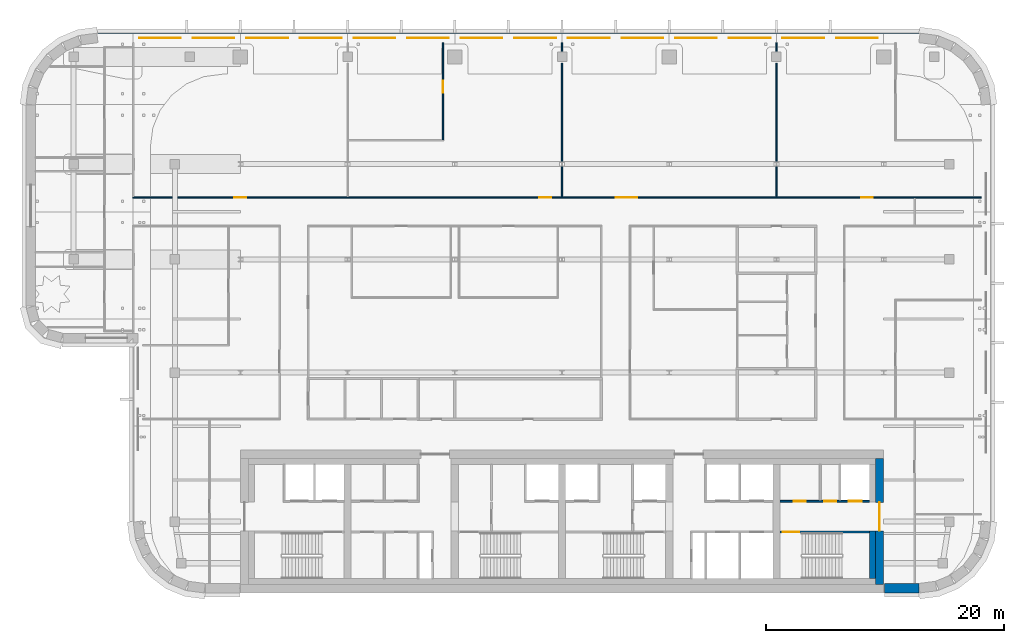
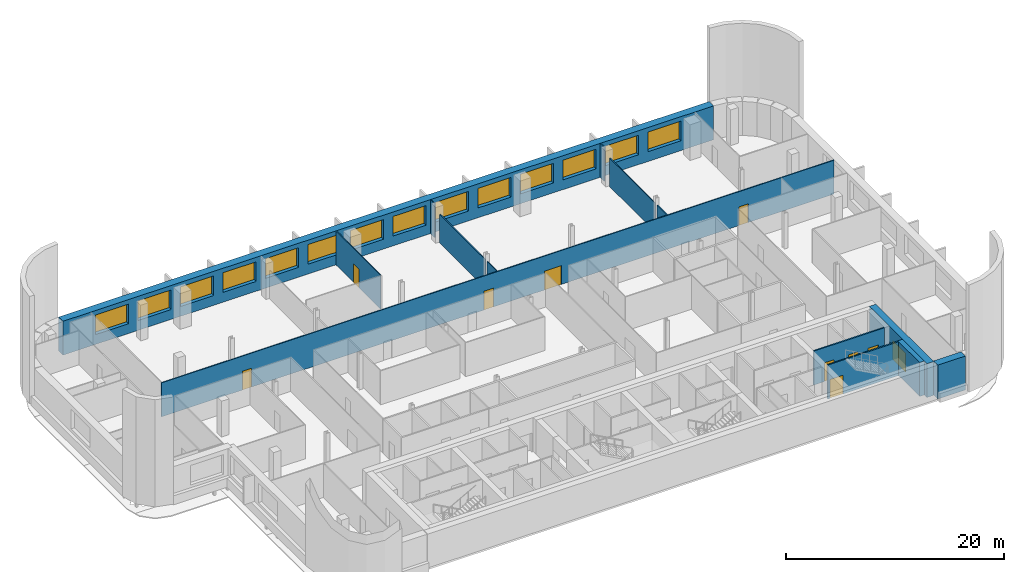
# One storey, part 10 of 19: 14 walls, 14 windows, 10 doors, 24 openings.
"""IFC4 building model written with IfcOpenShell, lengths in metres."""

from ifc_helpers import new_model, si_unit, direction, frame, frame_2d, origin, place, context, subcontext, project, spatial, rectangle, extrude, material, layer, layer_set, type_object, element, fill, save


model = new_model("IFC4")

# Units and contexts
model_context = context("Model", 3, precision=1e-05, world=origin(), true_north=direction((0.0, 1.0)))
body_context = subcontext(model_context, "Body", "Model", "MODEL_VIEW")
ifc_project = project(units=[si_unit("LENGTHUNIT", "METRE"), si_unit("AREAUNIT", "SQUARE_METRE"), si_unit("VOLUMEUNIT", "CUBIC_METRE"), si_unit("PLANEANGLEUNIT", "RADIAN"), si_unit("MASSUNIT", "GRAM", prefix="KILO")], contexts=[model_context])

# Site, building, storey
site_placement = place(None, origin())
site = spatial("IfcSite", under=ifc_project, at=site_placement, CompositionType="ELEMENT")
building_placement = place(site_placement, origin())
building = spatial("IfcBuilding", under=site, at=building_placement, Name="Zellij Exchange Tower", CompositionType="ELEMENT")
storey_placement = place(building_placement, frame((0.0, 0.0, 220.5)))
storey = spatial("IfcBuildingStorey", under=building, at=storey_placement, Name="L51", CompositionType="ELEMENT", Elevation=220.5)

# Wall
ifc_material_1 = material(Name="Concrete C30/37", Category="concrete")
ifc_layer_1 = layer(ifc_material_1, 0.5)
ifc_layer_set_1 = layer_set([ifc_layer_1], Name="Concrete C30/37")
wall_type_1 = type_object("IfcWallType", Name="CORE-LW 500 C30/37", PredefinedType="SHEAR", material=ifc_layer_set_1)
wall_1_placement = place(storey_placement, frame((26.050048828125, -12.800048828125, 0.0), z_axis=(0.0, 0.0, 1.0), x_axis=(0.0, 1.0, 0.0)))
element("IfcWall", 1, at=wall_1_placement, inside=storey, type_object=wall_type_1, Name="Core wall lining end e.0 L51", PredefinedType="SHEAR", context=body_context, shape_type="SweptSolid", body=[
    extrude(rectangle(XDim=4.0, YDim=0.5, at=frame_2d((2.0, 0.0))), origin(), (0.0, 0.0, 1.0), 3.800048828125),
])

# Wall, openings, doors
ifc_material_2 = material(Name="Gypsum shaft wall system")
ifc_layer_2 = layer(ifc_material_2, 0.14990234375)
ifc_layer_set_2 = layer_set([ifc_layer_2], Name="Gypsum shaft wall system")
wall_type_2 = type_object("IfcWallType", Name="CORE-PW 150 Lift shaft wall", PredefinedType="PARTITIONING", material=ifc_layer_set_2)
wall_2_placement = place(storey_placement, frame((18.300048828125, -6.300048828125, 0.0), z_axis=(0.0, 0.0, 1.0), x_axis=(1.0, 0.0, 0.0)))
wall_2 = element("IfcWall", 2, at=wall_2_placement, inside=storey, type_object=wall_type_2, Name="Lift shaft wall L51", PredefinedType="PARTITIONING", context=body_context, shape_type="SweptSolid", body=[
    extrude(rectangle(XDim=7.5, YDim=0.14990234375, at=frame_2d((3.75, 0.0))), origin(), (0.0, 0.0, 1.0), 3.800048828125),
])
opening_1_placement = place(wall_2_placement, frame((1.14990234375, 0.0, 0.0)))
opening_1 = element("IfcOpeningElement", 3, at=opening_1_placement, cuts=wall_2, Name="Opening CA-28.25", PredefinedType="OPENING", context=body_context, shape_type="SweptSolid", body=[
    extrude(rectangle(XDim=1.0, YDim=2.10009765625, at=frame_2d((0.5, 1.050048828125))), frame((0.0, 0.0869140625, 0.0), z_axis=(0.0, -1.0, 0.0), x_axis=(1.0, 0.0, 0.0)), (0.0, 0.0, 1.0), 0.173828125),
])
opening_2_placement = place(wall_2_placement, frame((3.699951171875, 0.0, 0.0)))
opening_2 = element("IfcOpeningElement", 4, at=opening_2_placement, cuts=wall_2, Name="Opening CA-28.26", PredefinedType="OPENING", context=body_context, shape_type="SweptSolid", body=[
    extrude(rectangle(XDim=1.0, YDim=2.10009765625, at=frame_2d((0.5, 1.050048828125))), frame((0.0, 0.0869140625, 0.0), z_axis=(0.0, -1.0, 0.0), x_axis=(1.0, 0.0, 0.0)), (0.0, 0.0, 1.0), 0.173828125),
])
opening_3_placement = place(wall_2_placement, frame((5.75, 0.0, 0.0)))
opening_3 = element("IfcOpeningElement", 5, at=opening_3_placement, cuts=wall_2, Name="Opening CA-28.27", PredefinedType="OPENING", context=body_context, shape_type="SweptSolid", body=[
    extrude(rectangle(XDim=1.10009765625, YDim=2.10009765625, at=frame_2d((0.550048828125, 1.050048828125))), frame((0.0, 0.0869140625, 0.0), z_axis=(0.0, -1.0, 0.0), x_axis=(1.0, 0.0, 0.0)), (0.0, 0.0, 1.0), 0.173828125),
])
ifc_material_3 = material(Name="Hollow metal fire door")
door_type_1 = type_object("IfcDoorType", Name="CORE-D CD Core room door 1000x2100 1 HR", OperationType="NOTDEFINED", PredefinedType="DOOR", material=ifc_material_3)
door_1_placement = place(opening_1_placement, origin())
door_1 = element("IfcDoor", 6, at=door_1_placement, inside=storey, type_object=door_type_1, Name="Core room door CA-28.25", OperationType="SINGLE_SWING_LEFT", OverallHeight=2.10009765625, OverallWidth=1.0, PredefinedType="DOOR", context=body_context, shape_type="SweptSolid", body=[
    extrude(rectangle(XDim=1.0, YDim=2.10009765625, at=frame_2d((0.5, 1.050048828125))), frame((0.0, 0.02490234375, 0.0), z_axis=(0.0, -1.0, 0.0), x_axis=(1.0, 0.0, 0.0)), (0.0, 0.0, 1.0), 0.050048828125),
])
fill(opening_1, door_1)
door_2_placement = place(opening_2_placement, origin())
door_2 = element("IfcDoor", 7, at=door_2_placement, inside=storey, type_object=door_type_1, Name="Core room door CA-28.26", OperationType="SINGLE_SWING_RIGHT", OverallHeight=2.10009765625, OverallWidth=1.0, PredefinedType="DOOR", context=body_context, shape_type="SweptSolid", body=[
    extrude(rectangle(XDim=1.0, YDim=2.10009765625, at=frame_2d((0.5, 1.050048828125))), frame((0.0, 0.02490234375, 0.0), z_axis=(0.0, -1.0, 0.0), x_axis=(1.0, 0.0, 0.0)), (0.0, 0.0, 1.0), 0.050048828125),
])
fill(opening_2, door_2)
door_type_2 = type_object("IfcDoorType", Name="CORE-D LD Lift landing door 1100x2100 1.5 HR", OperationType="NOTDEFINED", PredefinedType="DOOR", material=ifc_material_3)
door_3_placement = place(opening_3_placement, origin())
door_3 = element("IfcDoor", 8, at=door_3_placement, inside=storey, type_object=door_type_2, Name="Lift landing door CA-28.27", OperationType="SLIDING_TO_LEFT", OverallHeight=2.10009765625, OverallWidth=1.10009765625, PredefinedType="DOOR", context=body_context, shape_type="SweptSolid", body=[
    extrude(rectangle(XDim=1.10009765625, YDim=2.10009765625, at=frame_2d((0.550048828125, 1.050048828125))), frame((0.0, 0.02490234375, 0.0), z_axis=(0.0, -1.0, 0.0), x_axis=(1.0, 0.0, 0.0)), (0.0, 0.0, 1.0), 0.050048828125),
])
fill(opening_3, door_3)

# Wall, opening, door
ifc_material_4 = material(Name="Concrete C50/60", Category="concrete")
ifc_layer_3 = layer(ifc_material_4, 0.699951171875)
ifc_layer_set_3 = layer_set([ifc_layer_3], Name="Concrete C50/60")
wall_type_3 = type_object("IfcWallType", Name="CORE-SW 700 C50/60", PredefinedType="SHEAR", material=ifc_layer_set_3)
wall_3_placement = place(storey_placement, frame((26.64990234375, -13.300048828125, 0.0), z_axis=(0.0, 0.0, 1.0), x_axis=(0.0, 1.0, 0.0)))
wall_3 = element("IfcWall", 9, at=wall_3_placement, inside=storey, type_object=wall_type_3, Name="Core shear wall end e L51", PredefinedType="SHEAR", context=body_context, shape_type="SweptSolid", body=[
    extrude(rectangle(XDim=10.60009765625, YDim=0.699951171875, at=frame_2d((5.300048828125, 0.0))), origin(), (0.0, 0.0, 1.0), 3.800048828125),
])
opening_4_placement = place(wall_3_placement, frame((4.511962890625, 0.0, 0.0)))
opening_4 = element("IfcOpeningElement", 10, at=opening_4_placement, cuts=wall_3, Name="Opening CA-28.28", PredefinedType="OPENING", context=body_context, shape_type="SweptSolid", body=[
    extrude(rectangle(XDim=2.39990234375, YDim=2.10009765625, at=frame_2d((1.199951171875, 1.050048828125))), frame((0.0, 0.36181640625, 0.0), z_axis=(0.0, -1.0, 0.0), x_axis=(1.0, 0.0, 0.0)), (0.0, 0.0, 1.0), 0.723876953125),
])
door_type_3 = type_object("IfcDoorType", Name="CORE-D CE Core entrance door 2400x2100 20 MIN", OperationType="NOTDEFINED", PredefinedType="DOOR", material=ifc_material_3)
door_4_placement = place(opening_4_placement, origin())
door_4 = element("IfcDoor", 11, at=door_4_placement, inside=storey, type_object=door_type_3, Name="Core entrance door CA-28.28", OperationType="DOUBLE_DOOR_SINGLE_SWING", OverallHeight=2.10009765625, OverallWidth=2.39990234375, PredefinedType="DOOR", context=body_context, shape_type="SweptSolid", body=[
    extrude(rectangle(XDim=2.39990234375, YDim=2.10009765625, at=frame_2d((1.199951171875, 1.050048828125))), frame((0.0, 0.02490234375, 0.0), z_axis=(0.0, -1.0, 0.0), x_axis=(1.0, 0.0, 0.0)), (0.0, 0.0, 1.0), 0.050048828125),
])
fill(opening_4, door_4)

ifc_layer_4 = layer(ifc_material_4, 0.14990234375)
ifc_layer_set_4 = layer_set([ifc_layer_4], Name="Concrete C50/60")
wall_type_4 = type_object("IfcWallType", Name="CORE-SWS 150 C50/60", PredefinedType="SHEAR", material=ifc_layer_set_4)
wall_4_placement = place(storey_placement, frame((18.300048828125, -8.875, 0.0), z_axis=(0.0, 0.0, 1.0), x_axis=(1.0, 0.0, 0.0)))
wall_4 = element("IfcWall", 12, at=wall_4_placement, inside=storey, type_object=wall_type_4, Name="Stair enclosure wall L51", PredefinedType="SHEAR", context=body_context, shape_type="SweptSolid", body=[
    extrude(rectangle(XDim=7.5, YDim=0.14990234375, at=frame_2d((3.75, 0.0))), origin(), (0.0, 0.0, 1.0), 3.800048828125),
])
opening_5_placement = place(wall_4_placement, frame((0.22509765625, 0.0, 0.0)))
opening_5 = element("IfcOpeningElement", 13, at=opening_5_placement, cuts=wall_4, Name="Opening CA-28.24", PredefinedType="OPENING", context=body_context, shape_type="SweptSolid", body=[
    extrude(rectangle(XDim=1.39990234375, YDim=2.10009765625, at=frame_2d((0.699951171875, 1.050048828125))), frame((0.0, 0.0869140625, 0.0), z_axis=(0.0, -1.0, 0.0), x_axis=(1.0, 0.0, 0.0)), (0.0, 0.0, 1.0), 0.173828125),
])
door_type_4 = type_object("IfcDoorType", Name="CORE-D SD Stair door 1400x2100 1.5 HR", OperationType="NOTDEFINED", PredefinedType="DOOR", material=ifc_material_3)
door_5_placement = place(opening_5_placement, origin())
door_5 = element("IfcDoor", 14, at=door_5_placement, inside=storey, type_object=door_type_4, Name="Stair door CA-28.24", OperationType="DOUBLE_DOOR_SINGLE_SWING", OverallHeight=2.10009765625, OverallWidth=1.39990234375, PredefinedType="DOOR", context=body_context, shape_type="SweptSolid", body=[
    extrude(rectangle(XDim=1.39990234375, YDim=2.10009765625, at=frame_2d((0.699951171875, 1.050048828125))), frame((0.0, 0.02490234375, 0.0), z_axis=(0.0, -1.0, 0.0), x_axis=(1.0, 0.0, 0.0)), (0.0, 0.0, 1.0), 0.050048828125),
])
fill(opening_5, door_5)

# Wall
ifc_material_5 = material(Name="Precast concrete C40/50", Category="concrete")
ifc_layer_5 = layer(ifc_material_5, 0.800048828125)
ifc_layer_set_5 = layer_set([ifc_layer_5], Name="Precast concrete C40/50")
wall_type_5 = type_object("IfcWallType", Name="ENV-EW1 Precast stone-piered wall 800", PredefinedType="SOLIDWALL", material=ifc_layer_set_5)
wall_5_placement = place(storey_placement, frame((27.050048828125, -13.60009765625, 0.0), z_axis=(0.0, 0.0, 1.0), x_axis=(1.0, 0.0, 0.0)))
element("IfcWall", 15, at=wall_5_placement, inside=storey, type_object=wall_type_5, Name="fac.L51.00b", PredefinedType="SOLIDWALL", context=body_context, shape_type="SweptSolid", body=[
    extrude(rectangle(XDim=2.8974609375, YDim=0.800048828125, at=frame_2d((1.44873046875, 0.0))), origin(), (0.0, 0.0, 1.0), 3.800048828125),
])

# Wall, openings, windows
wall_6_placement = place(storey_placement, frame((29.947509765625, 32.60009765625, 0.0), z_axis=(0.0, 0.0, 1.0), x_axis=(-1.0, 0.0, 0.0)))
wall_6 = element("IfcWall", 16, at=wall_6_placement, inside=storey, type_object=wall_type_5, Name="fac.L51.14", PredefinedType="SOLIDWALL", context=body_context, shape_type="SweptSolid", body=[
    extrude(rectangle(XDim=68.89501953125, YDim=0.800048828125, at=frame_2d((34.447509765625, 0.0))), origin(), (0.0, 0.0, 1.0), 3.800048828125),
])
opening_6_placement = place(wall_6_placement, frame((3.447509765625, 0.0, 1.10009765625)))
opening_6 = element("IfcOpeningElement", 17, at=opening_6_placement, cuts=wall_6, Name="Opening FZ4.06", PredefinedType="OPENING", context=body_context, shape_type="SweptSolid", body=[
    extrude(rectangle(XDim=3.5, YDim=2.199951171875, at=frame_2d((1.75, 1.10009765625))), frame((0.0, 0.412109375, 0.0), z_axis=(0.0, -1.0, 0.0), x_axis=(1.0, 0.0, 0.0)), (0.0, 0.0, 1.0), 0.823974609375),
])
opening_7_placement = place(wall_6_placement, frame((7.947509765625, 0.0, 1.10009765625)))
opening_7 = element("IfcOpeningElement", 18, at=opening_7_placement, cuts=wall_6, Name="Opening FZ4.07", PredefinedType="OPENING", context=body_context, shape_type="SweptSolid", body=[
    extrude(rectangle(XDim=3.5, YDim=2.199951171875, at=frame_2d((1.75, 1.10009765625))), frame((0.0, 0.412109375, 0.0), z_axis=(0.0, -1.0, 0.0), x_axis=(1.0, 0.0, 0.0)), (0.0, 0.0, 1.0), 0.823974609375),
])
opening_8_placement = place(wall_6_placement, frame((12.447509765625, 0.0, 1.10009765625)))
opening_8 = element("IfcOpeningElement", 19, at=opening_8_placement, cuts=wall_6, Name="Opening FZ4.08", PredefinedType="OPENING", context=body_context, shape_type="SweptSolid", body=[
    extrude(rectangle(XDim=3.5, YDim=2.199951171875, at=frame_2d((1.75, 1.10009765625))), frame((0.0, 0.412109375, 0.0), z_axis=(0.0, -1.0, 0.0), x_axis=(1.0, 0.0, 0.0)), (0.0, 0.0, 1.0), 0.823974609375),
])
opening_9_placement = place(wall_6_placement, frame((16.947509765625, 0.0, 1.10009765625)))
opening_9 = element("IfcOpeningElement", 20, at=opening_9_placement, cuts=wall_6, Name="Opening FZ4.09", PredefinedType="OPENING", context=body_context, shape_type="SweptSolid", body=[
    extrude(rectangle(XDim=3.5, YDim=2.199951171875, at=frame_2d((1.75, 1.10009765625))), frame((0.0, 0.412109375, 0.0), z_axis=(0.0, -1.0, 0.0), x_axis=(1.0, 0.0, 0.0)), (0.0, 0.0, 1.0), 0.823974609375),
])
opening_10_placement = place(wall_6_placement, frame((21.447509765625, 0.0, 1.10009765625)))
opening_10 = element("IfcOpeningElement", 21, at=opening_10_placement, cuts=wall_6, Name="Opening FZ4.10", PredefinedType="OPENING", context=body_context, shape_type="SweptSolid", body=[
    extrude(rectangle(XDim=3.5, YDim=2.199951171875, at=frame_2d((1.75, 1.10009765625))), frame((0.0, 0.412109375, 0.0), z_axis=(0.0, -1.0, 0.0), x_axis=(1.0, 0.0, 0.0)), (0.0, 0.0, 1.0), 0.823974609375),
])
opening_11_placement = place(wall_6_placement, frame((25.947509765625, 0.0, 1.10009765625)))
opening_11 = element("IfcOpeningElement", 22, at=opening_11_placement, cuts=wall_6, Name="Opening FZ4.11", PredefinedType="OPENING", context=body_context, shape_type="SweptSolid", body=[
    extrude(rectangle(XDim=3.5, YDim=2.199951171875, at=frame_2d((1.75, 1.10009765625))), frame((0.0, 0.412109375, 0.0), z_axis=(0.0, -1.0, 0.0), x_axis=(1.0, 0.0, 0.0)), (0.0, 0.0, 1.0), 0.823974609375),
])
opening_12_placement = place(wall_6_placement, frame((30.447509765625, 0.0, 1.10009765625)))
opening_12 = element("IfcOpeningElement", 23, at=opening_12_placement, cuts=wall_6, Name="Opening FZ4.12", PredefinedType="OPENING", context=body_context, shape_type="SweptSolid", body=[
    extrude(rectangle(XDim=3.5, YDim=2.199951171875, at=frame_2d((1.75, 1.10009765625))), frame((0.0, 0.412109375, 0.0), z_axis=(0.0, -1.0, 0.0), x_axis=(1.0, 0.0, 0.0)), (0.0, 0.0, 1.0), 0.823974609375),
])
opening_13_placement = place(wall_6_placement, frame((34.947509765625, 0.0, 1.10009765625)))
opening_13 = element("IfcOpeningElement", 24, at=opening_13_placement, cuts=wall_6, Name="Opening FZ4.13", PredefinedType="OPENING", context=body_context, shape_type="SweptSolid", body=[
    extrude(rectangle(XDim=3.5, YDim=2.199951171875, at=frame_2d((1.75, 1.10009765625))), frame((0.0, 0.412109375, 0.0), z_axis=(0.0, -1.0, 0.0), x_axis=(1.0, 0.0, 0.0)), (0.0, 0.0, 1.0), 0.823974609375),
])
opening_14_placement = place(wall_6_placement, frame((39.447509765625, 0.0, 1.10009765625)))
opening_14 = element("IfcOpeningElement", 25, at=opening_14_placement, cuts=wall_6, Name="Opening FZ4.14", PredefinedType="OPENING", context=body_context, shape_type="SweptSolid", body=[
    extrude(rectangle(XDim=3.5, YDim=2.199951171875, at=frame_2d((1.75, 1.10009765625))), frame((0.0, 0.412109375, 0.0), z_axis=(0.0, -1.0, 0.0), x_axis=(1.0, 0.0, 0.0)), (0.0, 0.0, 1.0), 0.823974609375),
])
opening_15_placement = place(wall_6_placement, frame((43.947509765625, 0.0, 1.10009765625)))
opening_15 = element("IfcOpeningElement", 26, at=opening_15_placement, cuts=wall_6, Name="Opening FZ4.15", PredefinedType="OPENING", context=body_context, shape_type="SweptSolid", body=[
    extrude(rectangle(XDim=3.5, YDim=2.199951171875, at=frame_2d((1.75, 1.10009765625))), frame((0.0, 0.412109375, 0.0), z_axis=(0.0, -1.0, 0.0), x_axis=(1.0, 0.0, 0.0)), (0.0, 0.0, 1.0), 0.823974609375),
])
opening_16_placement = place(wall_6_placement, frame((48.447509765625, 0.0, 1.10009765625)))
opening_16 = element("IfcOpeningElement", 27, at=opening_16_placement, cuts=wall_6, Name="Opening FZ4.16", PredefinedType="OPENING", context=body_context, shape_type="SweptSolid", body=[
    extrude(rectangle(XDim=3.5, YDim=2.199951171875, at=frame_2d((1.75, 1.10009765625))), frame((0.0, 0.412109375, 0.0), z_axis=(0.0, -1.0, 0.0), x_axis=(1.0, 0.0, 0.0)), (0.0, 0.0, 1.0), 0.823974609375),
])
opening_17_placement = place(wall_6_placement, frame((52.947509765625, 0.0, 1.10009765625)))
opening_17 = element("IfcOpeningElement", 28, at=opening_17_placement, cuts=wall_6, Name="Opening FZ4.17", PredefinedType="OPENING", context=body_context, shape_type="SweptSolid", body=[
    extrude(rectangle(XDim=3.5, YDim=2.199951171875, at=frame_2d((1.75, 1.10009765625))), frame((0.0, 0.412109375, 0.0), z_axis=(0.0, -1.0, 0.0), x_axis=(1.0, 0.0, 0.0)), (0.0, 0.0, 1.0), 0.823974609375),
])
opening_18_placement = place(wall_6_placement, frame((57.447509765625, 0.0, 1.10009765625)))
opening_18 = element("IfcOpeningElement", 29, at=opening_18_placement, cuts=wall_6, Name="Opening FZ4.18", PredefinedType="OPENING", context=body_context, shape_type="SweptSolid", body=[
    extrude(rectangle(XDim=3.5, YDim=2.199951171875, at=frame_2d((1.75, 1.10009765625))), frame((0.0, 0.412109375, 0.0), z_axis=(0.0, -1.0, 0.0), x_axis=(1.0, 0.0, 0.0)), (0.0, 0.0, 1.0), 0.823974609375),
])
opening_19_placement = place(wall_6_placement, frame((61.947509765625, 0.0, 1.10009765625)))
opening_19 = element("IfcOpeningElement", 30, at=opening_19_placement, cuts=wall_6, Name="Opening FZ4.19", PredefinedType="OPENING", context=body_context, shape_type="SweptSolid", body=[
    extrude(rectangle(XDim=3.5, YDim=2.199951171875, at=frame_2d((1.75, 1.10009765625))), frame((0.0, 0.412109375, 0.0), z_axis=(0.0, -1.0, 0.0), x_axis=(1.0, 0.0, 0.0)), (0.0, 0.0, 1.0), 0.823974609375),
])
ifc_material_6 = material(Name="Aluminium frame with insulating glass", Category="aluminium")
window_type = type_object("IfcWindowType", Name="ENV-W7 Window 3500x2200", PartitioningType="SINGLE_PANEL", PredefinedType="WINDOW", material=ifc_material_6)
window_1_placement = place(opening_6_placement, origin())
window_1 = element("IfcWindow", 31, at=window_1_placement, inside=storey, type_object=window_type, Name="Window FZ4.06", OverallHeight=2.199951171875, OverallWidth=3.5, PartitioningType="SINGLE_PANEL", PredefinedType="WINDOW", context=body_context, shape_type="SweptSolid", body=[
    extrude(rectangle(XDim=3.5, YDim=2.199951171875, at=frame_2d((1.75, 1.10009765625))), frame((0.0, 0.030029296875, 0.0), z_axis=(0.0, -1.0, 0.0), x_axis=(1.0, 0.0, 0.0)), (0.0, 0.0, 1.0), 0.06005859375),
])
fill(opening_6, window_1)
window_2_placement = place(opening_7_placement, origin())
window_2 = element("IfcWindow", 32, at=window_2_placement, inside=storey, type_object=window_type, Name="Window FZ4.07", OverallHeight=2.199951171875, OverallWidth=3.5, PartitioningType="SINGLE_PANEL", PredefinedType="WINDOW", context=body_context, shape_type="SweptSolid", body=[
    extrude(rectangle(XDim=3.5, YDim=2.199951171875, at=frame_2d((1.75, 1.10009765625))), frame((0.0, 0.030029296875, 0.0), z_axis=(0.0, -1.0, 0.0), x_axis=(1.0, 0.0, 0.0)), (0.0, 0.0, 1.0), 0.06005859375),
])
fill(opening_7, window_2)
window_3_placement = place(opening_8_placement, origin())
window_3 = element("IfcWindow", 33, at=window_3_placement, inside=storey, type_object=window_type, Name="Window FZ4.08", OverallHeight=2.199951171875, OverallWidth=3.5, PartitioningType="SINGLE_PANEL", PredefinedType="WINDOW", context=body_context, shape_type="SweptSolid", body=[
    extrude(rectangle(XDim=3.5, YDim=2.199951171875, at=frame_2d((1.75, 1.10009765625))), frame((0.0, 0.030029296875, 0.0), z_axis=(0.0, -1.0, 0.0), x_axis=(1.0, 0.0, 0.0)), (0.0, 0.0, 1.0), 0.06005859375),
])
fill(opening_8, window_3)
window_4_placement = place(opening_9_placement, origin())
window_4 = element("IfcWindow", 34, at=window_4_placement, inside=storey, type_object=window_type, Name="Window FZ4.09", OverallHeight=2.199951171875, OverallWidth=3.5, PartitioningType="SINGLE_PANEL", PredefinedType="WINDOW", context=body_context, shape_type="SweptSolid", body=[
    extrude(rectangle(XDim=3.5, YDim=2.199951171875, at=frame_2d((1.75, 1.10009765625))), frame((0.0, 0.030029296875, 0.0), z_axis=(0.0, -1.0, 0.0), x_axis=(1.0, 0.0, 0.0)), (0.0, 0.0, 1.0), 0.06005859375),
])
fill(opening_9, window_4)
window_5_placement = place(opening_10_placement, origin())
window_5 = element("IfcWindow", 35, at=window_5_placement, inside=storey, type_object=window_type, Name="Window FZ4.10", OverallHeight=2.199951171875, OverallWidth=3.5, PartitioningType="SINGLE_PANEL", PredefinedType="WINDOW", context=body_context, shape_type="SweptSolid", body=[
    extrude(rectangle(XDim=3.5, YDim=2.199951171875, at=frame_2d((1.75, 1.10009765625))), frame((0.0, 0.030029296875, 0.0), z_axis=(0.0, -1.0, 0.0), x_axis=(1.0, 0.0, 0.0)), (0.0, 0.0, 1.0), 0.06005859375),
])
fill(opening_10, window_5)
window_6_placement = place(opening_11_placement, origin())
window_6 = element("IfcWindow", 36, at=window_6_placement, inside=storey, type_object=window_type, Name="Window FZ4.11", OverallHeight=2.199951171875, OverallWidth=3.5, PartitioningType="SINGLE_PANEL", PredefinedType="WINDOW", context=body_context, shape_type="SweptSolid", body=[
    extrude(rectangle(XDim=3.5, YDim=2.199951171875, at=frame_2d((1.75, 1.10009765625))), frame((0.0, 0.030029296875, 0.0), z_axis=(0.0, -1.0, 0.0), x_axis=(1.0, 0.0, 0.0)), (0.0, 0.0, 1.0), 0.06005859375),
])
fill(opening_11, window_6)
window_7_placement = place(opening_12_placement, origin())
window_7 = element("IfcWindow", 37, at=window_7_placement, inside=storey, type_object=window_type, Name="Window FZ4.12", OverallHeight=2.199951171875, OverallWidth=3.5, PartitioningType="SINGLE_PANEL", PredefinedType="WINDOW", context=body_context, shape_type="SweptSolid", body=[
    extrude(rectangle(XDim=3.5, YDim=2.199951171875, at=frame_2d((1.75, 1.10009765625))), frame((0.0, 0.030029296875, 0.0), z_axis=(0.0, -1.0, 0.0), x_axis=(1.0, 0.0, 0.0)), (0.0, 0.0, 1.0), 0.06005859375),
])
fill(opening_12, window_7)
window_8_placement = place(opening_13_placement, origin())
window_8 = element("IfcWindow", 38, at=window_8_placement, inside=storey, type_object=window_type, Name="Window FZ4.13", OverallHeight=2.199951171875, OverallWidth=3.5, PartitioningType="SINGLE_PANEL", PredefinedType="WINDOW", context=body_context, shape_type="SweptSolid", body=[
    extrude(rectangle(XDim=3.5, YDim=2.199951171875, at=frame_2d((1.75, 1.10009765625))), frame((0.0, 0.030029296875, 0.0), z_axis=(0.0, -1.0, 0.0), x_axis=(1.0, 0.0, 0.0)), (0.0, 0.0, 1.0), 0.06005859375),
])
fill(opening_13, window_8)
window_9_placement = place(opening_14_placement, origin())
window_9 = element("IfcWindow", 39, at=window_9_placement, inside=storey, type_object=window_type, Name="Window FZ4.14", OverallHeight=2.199951171875, OverallWidth=3.5, PartitioningType="SINGLE_PANEL", PredefinedType="WINDOW", context=body_context, shape_type="SweptSolid", body=[
    extrude(rectangle(XDim=3.5, YDim=2.199951171875, at=frame_2d((1.75, 1.10009765625))), frame((0.0, 0.030029296875, 0.0), z_axis=(0.0, -1.0, 0.0), x_axis=(1.0, 0.0, 0.0)), (0.0, 0.0, 1.0), 0.06005859375),
])
fill(opening_14, window_9)
window_10_placement = place(opening_15_placement, origin())
window_10 = element("IfcWindow", 40, at=window_10_placement, inside=storey, type_object=window_type, Name="Window FZ4.15", OverallHeight=2.199951171875, OverallWidth=3.5, PartitioningType="SINGLE_PANEL", PredefinedType="WINDOW", context=body_context, shape_type="SweptSolid", body=[
    extrude(rectangle(XDim=3.5, YDim=2.199951171875, at=frame_2d((1.75, 1.10009765625))), frame((0.0, 0.030029296875, 0.0), z_axis=(0.0, -1.0, 0.0), x_axis=(1.0, 0.0, 0.0)), (0.0, 0.0, 1.0), 0.06005859375),
])
fill(opening_15, window_10)
window_11_placement = place(opening_16_placement, origin())
window_11 = element("IfcWindow", 41, at=window_11_placement, inside=storey, type_object=window_type, Name="Window FZ4.16", OverallHeight=2.199951171875, OverallWidth=3.5, PartitioningType="SINGLE_PANEL", PredefinedType="WINDOW", context=body_context, shape_type="SweptSolid", body=[
    extrude(rectangle(XDim=3.5, YDim=2.199951171875, at=frame_2d((1.75, 1.10009765625))), frame((0.0, 0.030029296875, 0.0), z_axis=(0.0, -1.0, 0.0), x_axis=(1.0, 0.0, 0.0)), (0.0, 0.0, 1.0), 0.06005859375),
])
fill(opening_16, window_11)
window_12_placement = place(opening_17_placement, origin())
window_12 = element("IfcWindow", 42, at=window_12_placement, inside=storey, type_object=window_type, Name="Window FZ4.17", OverallHeight=2.199951171875, OverallWidth=3.5, PartitioningType="SINGLE_PANEL", PredefinedType="WINDOW", context=body_context, shape_type="SweptSolid", body=[
    extrude(rectangle(XDim=3.5, YDim=2.199951171875, at=frame_2d((1.75, 1.10009765625))), frame((0.0, 0.030029296875, 0.0), z_axis=(0.0, -1.0, 0.0), x_axis=(1.0, 0.0, 0.0)), (0.0, 0.0, 1.0), 0.06005859375),
])
fill(opening_17, window_12)
window_13_placement = place(opening_18_placement, origin())
window_13 = element("IfcWindow", 43, at=window_13_placement, inside=storey, type_object=window_type, Name="Window FZ4.18", OverallHeight=2.199951171875, OverallWidth=3.5, PartitioningType="SINGLE_PANEL", PredefinedType="WINDOW", context=body_context, shape_type="SweptSolid", body=[
    extrude(rectangle(XDim=3.5, YDim=2.199951171875, at=frame_2d((1.75, 1.10009765625))), frame((0.0, 0.030029296875, 0.0), z_axis=(0.0, -1.0, 0.0), x_axis=(1.0, 0.0, 0.0)), (0.0, 0.0, 1.0), 0.06005859375),
])
fill(opening_18, window_13)
window_14_placement = place(opening_19_placement, origin())
window_14 = element("IfcWindow", 44, at=window_14_placement, inside=storey, type_object=window_type, Name="Window FZ4.19", OverallHeight=2.199951171875, OverallWidth=3.5, PartitioningType="SINGLE_PANEL", PredefinedType="WINDOW", context=body_context, shape_type="SweptSolid", body=[
    extrude(rectangle(XDim=3.5, YDim=2.199951171875, at=frame_2d((1.75, 1.10009765625))), frame((0.0, 0.030029296875, 0.0), z_axis=(0.0, -1.0, 0.0), x_axis=(1.0, 0.0, 0.0)), (0.0, 0.0, 1.0), 0.06005859375),
])
fill(opening_19, window_14)

# Wall, openings, doors
ifc_material_7 = material(Name="Gypsum board partition on steel studs", Category="steel")
ifc_layer_6 = layer(ifc_material_7, 0.10009765625)
ifc_layer_set_6 = layer_set([ifc_layer_6], Name="Gypsum board partition on steel studs")
wall_type_6 = type_object("IfcWallType", Name="FIT-PARTITION-100", PredefinedType="PARTITIONING", material=ifc_layer_set_6)
wall_7_placement = place(storey_placement, frame((-36.050048828125, 19.199951171875, 0.0), z_axis=(0.0, 0.0, 1.0), x_axis=(1.0, 0.0, 0.0)))
wall_7 = element("IfcWall", 45, at=wall_7_placement, inside=storey, type_object=wall_type_6, Name="FIT-PARTITION-100 058", PredefinedType="PARTITIONING", context=body_context, shape_type="SweptSolid", body=[
    extrude(rectangle(XDim=71.25, YDim=0.10009765625, at=frame_2d((35.625, 0.0))), origin(), (0.0, 0.0, 1.0), 3.800048828125),
])
opening_20_placement = place(wall_7_placement, frame((8.550048828125, 0.0, 0.0)))
opening_20 = element("IfcOpeningElement", 46, at=opening_20_placement, cuts=wall_7, Name="Opening O4A.25", PredefinedType="OPENING", context=body_context, shape_type="SweptSolid", body=[
    extrude(rectangle(XDim=1.0, YDim=2.10009765625, at=frame_2d((0.5, 1.050048828125))), frame((0.0, 0.06201171875, 0.0), z_axis=(0.0, -1.0, 0.0), x_axis=(1.0, 0.0, 0.0)), (0.0, 0.0, 1.0), 0.1240234375),
])
opening_21_placement = place(wall_7_placement, frame((34.14990234375, 0.0, 0.0)))
opening_21 = element("IfcOpeningElement", 47, at=opening_21_placement, cuts=wall_7, Name="Opening O4A.26", PredefinedType="OPENING", context=body_context, shape_type="SweptSolid", body=[
    extrude(rectangle(XDim=1.0, YDim=2.10009765625, at=frame_2d((0.5, 1.050048828125))), frame((0.0, 0.06201171875, 0.0), z_axis=(0.0, -1.0, 0.0), x_axis=(1.0, 0.0, 0.0)), (0.0, 0.0, 1.0), 0.1240234375),
])
opening_22_placement = place(wall_7_placement, frame((40.550048828125, 0.0, 0.0)))
opening_22 = element("IfcOpeningElement", 48, at=opening_22_placement, cuts=wall_7, Name="Opening O4A.27", PredefinedType="OPENING", context=body_context, shape_type="SweptSolid", body=[
    extrude(rectangle(XDim=1.800048828125, YDim=2.10009765625, at=frame_2d((0.89990234375, 1.050048828125))), frame((0.0, 0.06201171875, 0.0), z_axis=(0.0, -1.0, 0.0), x_axis=(1.0, 0.0, 0.0)), (0.0, 0.0, 1.0), 0.1240234375),
])
opening_23_placement = place(wall_7_placement, frame((61.14990234375, 0.0, 0.0)))
opening_23 = element("IfcOpeningElement", 49, at=opening_23_placement, cuts=wall_7, Name="Opening O4A.28", PredefinedType="OPENING", context=body_context, shape_type="SweptSolid", body=[
    extrude(rectangle(XDim=1.0, YDim=2.10009765625, at=frame_2d((0.5, 1.050048828125))), frame((0.0, 0.06201171875, 0.0), z_axis=(0.0, -1.0, 0.0), x_axis=(1.0, 0.0, 0.0)), (0.0, 0.0, 1.0), 0.1240234375),
])
ifc_material_8 = material(Name="Timber door set", Category="wood")
door_type_5 = type_object("IfcDoorType", Name="FIT-D2-WIDE-1000X2100", OperationType="SINGLE_SWING_LEFT", PredefinedType="DOOR", material=ifc_material_8)
door_6_placement = place(opening_20_placement, origin())
door_6 = element("IfcDoor", 50, at=door_6_placement, inside=storey, type_object=door_type_5, Name="Door O4A.25", OperationType="SINGLE_SWING_RIGHT", OverallHeight=2.10009765625, OverallWidth=1.0, PredefinedType="DOOR", context=body_context, shape_type="SweptSolid", body=[
    extrude(rectangle(XDim=1.0, YDim=2.10009765625, at=frame_2d((0.5, 1.050048828125))), frame((0.0, 0.02490234375, 0.0), z_axis=(0.0, -1.0, 0.0), x_axis=(1.0, 0.0, 0.0)), (0.0, 0.0, 1.0), 0.050048828125),
])
fill(opening_20, door_6)
door_7_placement = place(opening_21_placement, origin())
door_7 = element("IfcDoor", 51, at=door_7_placement, inside=storey, type_object=door_type_5, Name="Door O4A.26", OperationType="SINGLE_SWING_LEFT", OverallHeight=2.10009765625, OverallWidth=1.0, PredefinedType="DOOR", context=body_context, shape_type="SweptSolid", body=[
    extrude(rectangle(XDim=1.0, YDim=2.10009765625, at=frame_2d((0.5, 1.050048828125))), frame((0.0, 0.02490234375, 0.0), z_axis=(0.0, -1.0, 0.0), x_axis=(1.0, 0.0, 0.0)), (0.0, 0.0, 1.0), 0.050048828125),
])
fill(opening_21, door_7)
door_8_placement = place(opening_23_placement, origin())
door_8 = element("IfcDoor", 52, at=door_8_placement, inside=storey, type_object=door_type_5, Name="Door O4A.28", OperationType="SINGLE_SWING_LEFT", OverallHeight=2.10009765625, OverallWidth=1.0, PredefinedType="DOOR", context=body_context, shape_type="SweptSolid", body=[
    extrude(rectangle(XDim=1.0, YDim=2.10009765625, at=frame_2d((0.5, 1.050048828125))), frame((0.0, 0.02490234375, 0.0), z_axis=(0.0, -1.0, 0.0), x_axis=(1.0, 0.0, 0.0)), (0.0, 0.0, 1.0), 0.050048828125),
])
fill(opening_23, door_8)
door_type_6 = type_object("IfcDoorType", Name="FIT-D3-DOUBLE-1800X2100", OperationType="DOUBLE_DOOR_SINGLE_SWING", PredefinedType="DOOR", material=ifc_material_8)
door_9_placement = place(opening_22_placement, origin())
door_9 = element("IfcDoor", 53, at=door_9_placement, inside=storey, type_object=door_type_6, Name="Door O4A.27", OperationType="DOUBLE_DOOR_SINGLE_SWING", OverallHeight=2.10009765625, OverallWidth=1.800048828125, PredefinedType="DOOR", context=body_context, shape_type="SweptSolid", body=[
    extrude(rectangle(XDim=1.800048828125, YDim=2.10009765625, at=frame_2d((0.89990234375, 1.050048828125))), frame((0.0, 0.02490234375, 0.0), z_axis=(0.0, -1.0, 0.0), x_axis=(1.0, 0.0, 0.0)), (0.0, 0.0, 1.0), 0.050048828125),
])
fill(opening_22, door_9)

# Walls
wall_8_placement = place(storey_placement, frame((0.0, 19.25, 0.0), z_axis=(0.0, 0.0, 1.0), x_axis=(0.0, 1.0, 0.0)))
element("IfcWall", 54, at=wall_8_placement, inside=storey, type_object=wall_type_6, Name="FIT-PARTITION-100 062", PredefinedType="PARTITIONING", context=body_context, shape_type="SweptSolid", body=[
    extrude(rectangle(XDim=2.556884765625, YDim=0.10009765625, at=frame_2d((1.2783203125, 0.0))), origin(), (0.0, 0.0, 1.0), 3.19287109375),
])
wall_9_placement = place(storey_placement, frame((0.0, 22.193115234375, 0.0), z_axis=(0.0, 0.0, 1.0), x_axis=(0.0, 1.0, 0.0)))
element("IfcWall", 55, at=wall_9_placement, inside=storey, type_object=wall_type_6, Name="FIT-PARTITION-100 063", PredefinedType="PARTITIONING", context=body_context, shape_type="SweptSolid", body=[
    extrude(rectangle(XDim=8.296875, YDim=0.10009765625, at=frame_2d((4.1484375, 0.0))), origin(), (0.0, 0.0, 1.0), 3.19287109375),
])
wall_10_placement = place(storey_placement, frame((18.0, 19.25, 0.0), z_axis=(0.0, 0.0, 1.0), x_axis=(0.0, 1.0, 0.0)))
element("IfcWall", 56, at=wall_10_placement, inside=storey, type_object=wall_type_6, Name="FIT-PARTITION-100 064", PredefinedType="PARTITIONING", context=body_context, shape_type="SweptSolid", body=[
    extrude(rectangle(XDim=2.556884765625, YDim=0.10009765625, at=frame_2d((1.2783203125, 0.0))), origin(), (0.0, 0.0, 1.0), 3.19287109375),
])
wall_11_placement = place(storey_placement, frame((18.0, 22.193115234375, 0.0), z_axis=(0.0, 0.0, 1.0), x_axis=(0.0, 1.0, 0.0)))
element("IfcWall", 57, at=wall_11_placement, inside=storey, type_object=wall_type_6, Name="FIT-PARTITION-100 065", PredefinedType="PARTITIONING", context=body_context, shape_type="SweptSolid", body=[
    extrude(rectangle(XDim=8.296875, YDim=0.10009765625, at=frame_2d((4.1484375, 0.0))), origin(), (0.0, 0.0, 1.0), 3.19287109375),
])

# Wall, opening, door
wall_12_placement = place(storey_placement, frame((-10.0, 24.050048828125, 0.0), z_axis=(0.0, 0.0, 1.0), x_axis=(0.0, 1.0, 0.0)))
wall_12 = element("IfcWall", 58, at=wall_12_placement, inside=storey, type_object=wall_type_6, Name="FIT-PARTITION-100 069", PredefinedType="PARTITIONING", context=body_context, shape_type="SweptSolid", body=[
    extrude(rectangle(XDim=8.14990234375, YDim=0.10009765625, at=frame_2d((4.074951171875, 0.0))), origin(), (0.0, 0.0, 1.0), 3.800048828125),
])
opening_24_placement = place(wall_12_placement, frame((3.949951171875, 0.0, 0.0)))
opening_24 = element("IfcOpeningElement", 59, at=opening_24_placement, cuts=wall_12, Name="Opening O4A.30", PredefinedType="OPENING", context=body_context, shape_type="SweptSolid", body=[
    extrude(rectangle(XDim=1.0, YDim=2.10009765625, at=frame_2d((0.5, 1.050048828125))), frame((0.0, 0.06201171875, 0.0), z_axis=(0.0, -1.0, 0.0), x_axis=(1.0, 0.0, 0.0)), (0.0, 0.0, 1.0), 0.1240234375),
])
door_10_placement = place(opening_24_placement, origin())
door_10 = element("IfcDoor", 60, at=door_10_placement, inside=storey, type_object=door_type_5, Name="Door O4A.30", OperationType="SINGLE_SWING_LEFT", OverallHeight=2.10009765625, OverallWidth=1.0, PredefinedType="DOOR", context=body_context, shape_type="SweptSolid", body=[
    extrude(rectangle(XDim=1.0, YDim=2.10009765625, at=frame_2d((0.5, 1.050048828125))), frame((0.0, 0.02490234375, 0.0), z_axis=(0.0, -1.0, 0.0), x_axis=(1.0, 0.0, 0.0)), (0.0, 0.0, 1.0), 0.050048828125),
])
fill(opening_24, door_10)

# Walls
for number, where, z_axis, x_axis, name in (
    (61, (0.0, 31.4599609375, 0.0), (0.0, 0.0, 1.0), (0.0, 1.0, 0.0), "FIT-PARTITION-100 074"),
    (62, (18.0, 31.4599609375, 0.0), (0.0, 0.0, 1.0), (0.0, 1.0, 0.0), "FIT-PARTITION-100 075"),
):
    element("IfcWall", number, at=place(storey_placement, frame(where, z_axis=z_axis, x_axis=x_axis)), inside=storey, type_object=wall_type_6, Name=name, PredefinedType="PARTITIONING", context=body_context, shape_type="SweptSolid", body=[
        extrude(rectangle(XDim=0.739990234375, YDim=0.10009765625, at=frame_2d((0.3701171875, 0.0))), origin(), (0.0, 0.0, 1.0), 3.800048828125),
    ])

save(model, "model.ifc")
